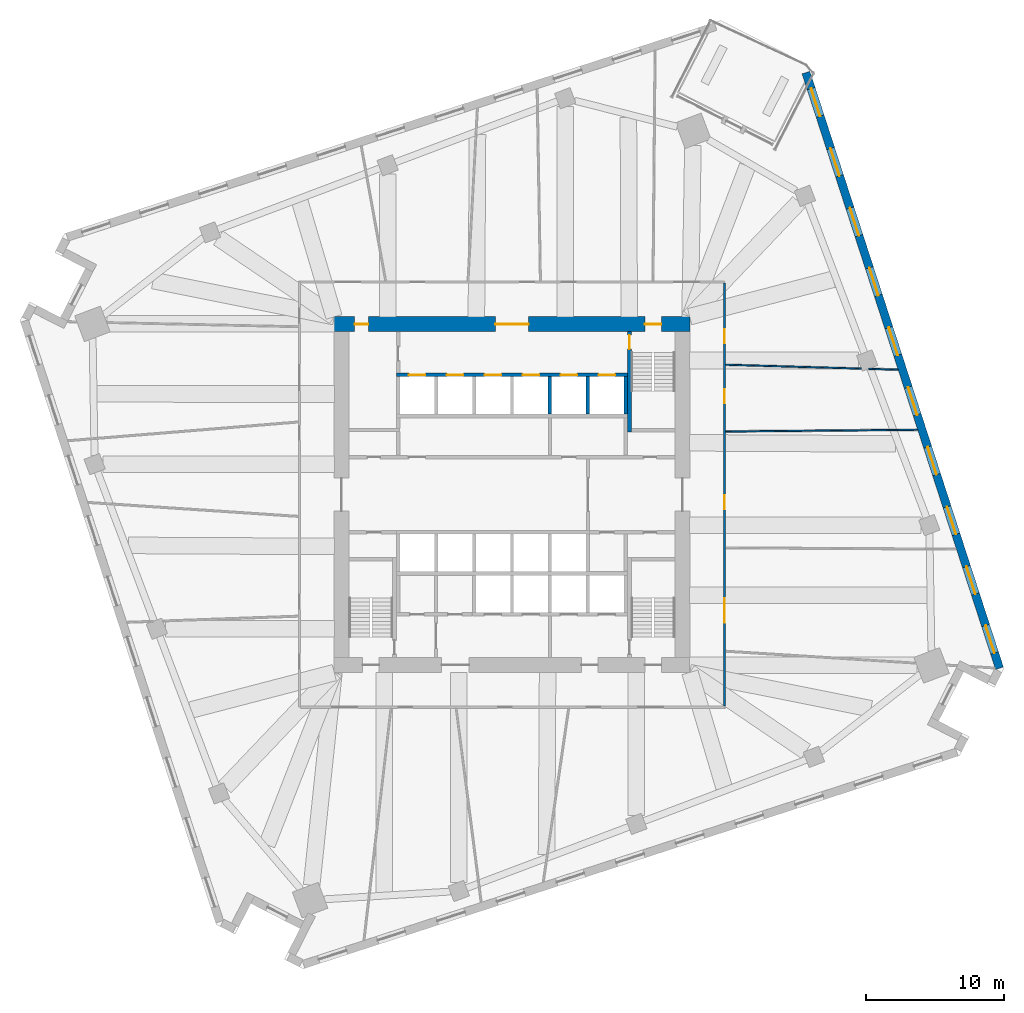
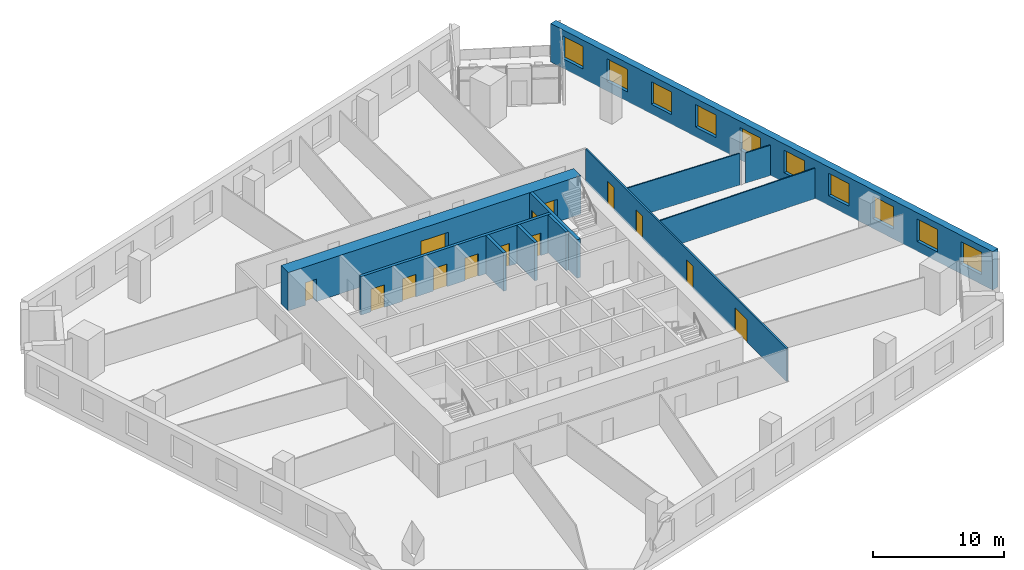
# One storey, part 9 of 12: 14 doors, 11 walls, 10 windows, 24 openings.
"""IFC4 building model written with IfcOpenShell, lengths in metres."""

import ifcopenshell
import ifcopenshell.guid

model = None  # the IFC model being written
_history = None  # IfcOwnerHistory: only IFC2X3 demands one
_inside = {}  # id of a spatial element -> (the spatial element, [elements in it])
_under = {}  # id of a project, library or spatial element -> (it, [spatial elements below it])
_declared = {}  # id of a project -> (the project, [libraries it declares])
_typed = {}  # id of a type object -> (the type object, [elements of that type])
_made_of = {}  # id of a material, layer set ... -> (it, [elements and type objects made of it])


def new_model(schema):
    """Start an empty IFC model of exactly this schema.

    Asked for "IFC4X3", IfcOpenShell would pick the latest addendum, in which some entities
    have other attributes; the version numbers below select the first issue.
    IFC2X3 requires an IfcOwnerHistory on every rooted entity: one is made here for all.
    """
    global model, _history
    if schema == "IFC4X3":
        model = ifcopenshell.file(schema_version=(4, 3, 0, 0))
    else:
        model = ifcopenshell.file(schema=schema)
    _inside.clear()
    _under.clear()
    _declared.clear()
    _typed.clear()
    _made_of.clear()
    _history = None
    if model.schema == "IFC2X3":
        org = make("IfcOrganization", Name="unknown")
        user = make(
            "IfcPersonAndOrganization",
            ThePerson=make("IfcPerson", FamilyName="unknown"),
            TheOrganization=org,
        )
        app = make(
            "IfcApplication",
            ApplicationDeveloper=org,
            Version="unknown",
            ApplicationFullName="unknown",
            ApplicationIdentifier="unknown",
        )
        _history = make(
            "IfcOwnerHistory",
            OwningUser=user,
            OwningApplication=app,
            ChangeAction="ADDED",
            CreationDate=0,
        )
    return model


def make(cls, **values):
    """One entity of the class cls with the attributes given. An attribute that is None is left unset."""
    return model.create_entity(
        cls, **{name: value for name, value in values.items() if value is not None}
    )


def rooted(cls, **values):
    """An entity with a GlobalId (a new one), such as an element, a storey or a relation."""
    return make(cls, GlobalId=ifcopenshell.guid.new(), OwnerHistory=_history, **values)


def si_unit(unit_type, name, prefix=None):
    """IfcSIUnit, for example si_unit("LENGTHUNIT", "METRE", prefix="MILLI")."""
    return make("IfcSIUnit", UnitType=unit_type, Prefix=prefix, Name=name)


def assignment(units):
    """IfcUnitAssignment: the units of a project."""
    return None if units is None else make("IfcUnitAssignment", Units=units)


def point(xyz):
    """IfcCartesianPoint."""
    return None if xyz is None else make("IfcCartesianPoint", Coordinates=xyz)


def direction(xyz):
    """IfcDirection."""
    return None if xyz is None else make("IfcDirection", DirectionRatios=xyz)


def frame(location, z_axis=None, x_axis=None):
    """IfcAxis2Placement3D, a coordinate frame: its origin and axes. An axis left out is left unset."""
    return make(
        "IfcAxis2Placement3D",
        Location=point(location),
        Axis=direction(z_axis),
        RefDirection=direction(x_axis),
    )


def frame_2d(location, x_axis=None):
    """IfcAxis2Placement2D, a coordinate frame in the plane: its origin and x axis."""
    return make(
        "IfcAxis2Placement2D", Location=point(location), RefDirection=direction(x_axis)
    )


def origin():
    """The frame at (0, 0, 0) with its axes left unset."""
    return frame((0.0, 0.0, 0.0))


def place(relative_to, where):
    """IfcLocalPlacement: puts the frame where relative to a parent placement (None: the world)."""
    return make(
        "IfcLocalPlacement", PlacementRelTo=relative_to, RelativePlacement=where
    )


def context(
    kind, dimensions, precision=None, world=None, true_north=None, identifier=None
):
    """IfcGeometricRepresentationContext, for example the 3D "Model" context."""
    return make(
        "IfcGeometricRepresentationContext",
        ContextIdentifier=identifier,
        ContextType=kind,
        CoordinateSpaceDimension=dimensions,
        Precision=precision,
        WorldCoordinateSystem=world,
        TrueNorth=true_north,
    )


def subcontext(parent, identifier, kind, view, scale=None):
    """IfcGeometricRepresentationSubContext, for example "Body" below "Model"."""
    return make(
        "IfcGeometricRepresentationSubContext",
        ContextIdentifier=identifier,
        ContextType=kind,
        ParentContext=parent,
        TargetScale=scale,
        TargetView=view,
    )


def project(units=None, contexts=None):
    """IfcProject with its units and contexts."""
    return rooted(
        "IfcProject",
        Name="project",
        RepresentationContexts=contexts,
        UnitsInContext=assignment(units),
    )


def spatial(cls, under=None, at=None, **own):
    """A site, building, storey or space (cls), placed at a placement, below another one or the project."""
    s = rooted(cls, ObjectPlacement=at, **own)
    if under is not None:
        _under.setdefault(under.id(), (under, []))[1].append(s)
    return s


def profile(cls, at=None, kind="AREA", **sizes):
    """A parametric profile (cls). Its sizes go by their IFC names, for example OverallWidth=200.0."""
    return make(cls, ProfileType=kind, Position=at, **sizes)


def rectangle(**sizes):
    """IfcRectangleProfileDef."""
    return profile("IfcRectangleProfileDef", **sizes)


def extrude(swept, where, along, depth):
    """IfcExtrudedAreaSolid: the profile swept, set in the frame where, extruded along a direction by depth."""
    return make(
        "IfcExtrudedAreaSolid",
        SweptArea=swept,
        Position=where,
        ExtrudedDirection=direction(along),
        Depth=depth,
    )


def shape(context_of_items, identifier, shape_type, items):
    """IfcShapeRepresentation: the items that make up one representation, for example the "Body"."""
    return make(
        "IfcShapeRepresentation",
        ContextOfItems=context_of_items,
        RepresentationIdentifier=identifier,
        RepresentationType=shape_type,
        Items=items,
    )


def material(Name=None, Category=None):
    """IfcMaterial."""
    return make("IfcMaterial", Name=Name, Category=Category)


def layer(
    of_material, thickness, ventilated=None, Name=None, Category=None, Priority=None
):
    """IfcMaterialLayer: one layer of a wall or slab, of a material (None: an air gap)."""
    return make(
        "IfcMaterialLayer",
        Material=of_material,
        LayerThickness=thickness,
        IsVentilated=ventilated,
        Name=Name,
        Category=Category,
        Priority=Priority,
    )


def layer_set(layers, Name=None):
    """IfcMaterialLayerSet."""
    return make("IfcMaterialLayerSet", MaterialLayers=layers, LayerSetName=Name)


def made_of(thing, what):
    """Note that an element or type object is made of a material, layer set ...; save() writes the relation."""
    if what is not None:
        _made_of.setdefault(what.id(), (what, []))[1].append(thing)
    return thing


def type_object(cls, material=None, **own):
    """A type object (cls), such as IfcWallType, which elements share."""
    return made_of(rooted(cls, **own), material)


def element(
    cls,
    number,
    at=None,
    inside=None,
    cuts=None,
    type_object=None,
    material=None,
    context=None,
    identifier="Body",
    shape_type=None,
    held_by="IfcProductDefinitionShape",
    body=None,
    shapes=None,
    **own,
):
    """One element of the class cls, such as IfcWall. Its Tag is "e" and its number.

    at: its placement. inside: the storey or other place that contains it. cuts: it is an
    opening in that element (IfcRelVoidsElement). A single representation is given by context,
    identifier, shape_type and body (its items); several are given by shapes. held_by: the class
    of the entity that holds the representations. save() writes the other relations.
    """
    e = rooted(cls, Tag="e%d" % number, ObjectPlacement=at, **own)
    if body is not None:
        shapes = [shape(context, identifier, shape_type, body)]
    if shapes is not None:
        e.Representation = make(held_by, Representations=shapes)
    if inside is not None:
        _inside.setdefault(inside.id(), (inside, []))[1].append(e)
    if cuts is not None:
        rooted(
            "IfcRelVoidsElement", RelatingBuildingElement=cuts, RelatedOpeningElement=e
        )
    if type_object is not None:
        _typed.setdefault(type_object.id(), (type_object, []))[1].append(e)
    return made_of(e, material)


def fill(opening, filler):
    """IfcRelFillsElement: the door or window that sits in an opening."""
    return rooted(
        "IfcRelFillsElement",
        RelatingOpeningElement=opening,
        RelatedBuildingElement=filler,
    )


def aggregate(whole, parts):
    """IfcRelAggregates: a whole, such as a stair, and the parts it consists of."""
    return rooted("IfcRelAggregates", RelatingObject=whole, RelatedObjects=parts)


def save(model, path):
    """Write the relations noted so far, then the file.

    IfcRelAggregates (storeys below a building ...), IfcRelContainedInSpatialStructure (elements
    in a storey), IfcRelDefinesByType, IfcRelAssociatesMaterial and IfcRelDeclares: one each for
    every whole, place, type object, material and project.
    """
    for whole, parts in _under.values():
        aggregate(whole, parts)
    for where, things in _inside.values():
        rooted(
            "IfcRelContainedInSpatialStructure",
            RelatedElements=things,
            RelatingStructure=where,
        )
    for kind, things in _typed.values():
        rooted("IfcRelDefinesByType", RelatedObjects=things, RelatingType=kind)
    for what, things in _made_of.values():
        rooted("IfcRelAssociatesMaterial", RelatedObjects=things, RelatingMaterial=what)
    for by, libraries in _declared.values():
        rooted("IfcRelDeclares", RelatingContext=by, RelatedDefinitions=libraries)
    model.write(path)


model = new_model("IFC4")

# Units and contexts
model_context = context("Model", 3, precision=1e-05, world=origin(), true_north=direction((0.0, 1.0)))
body_context = subcontext(model_context, "Body", "Model", "MODEL_VIEW")
ifc_project = project(units=[si_unit("LENGTHUNIT", "METRE"), si_unit("AREAUNIT", "SQUARE_METRE"), si_unit("VOLUMEUNIT", "CUBIC_METRE"), si_unit("PLANEANGLEUNIT", "RADIAN"), si_unit("MASSUNIT", "GRAM", prefix="KILO")], contexts=[model_context])

# Site, building, storey
site_placement = place(None, origin())
site = spatial("IfcSite", under=ifc_project, at=site_placement, CompositionType="ELEMENT")
building_placement = place(site_placement, origin())
building = spatial("IfcBuilding", under=site, at=building_placement, Name="Dilmun Exchange Tower", CompositionType="ELEMENT")
storey_placement = place(building_placement, frame((0.0, 0.0, 98.10009765625)))
storey = spatial("IfcBuildingStorey", under=building, at=storey_placement, Name="L22", CompositionType="ELEMENT", Elevation=98.10009765625)

# Wall, openings, doors
ifc_material_1 = material(Name="Concrete C80/95", Category="concrete")
ifc_layer_1 = layer(ifc_material_1, 1.10009765625)
ifc_layer_set_1 = layer_set([ifc_layer_1], Name="Concrete C80/95")
wall_type_1 = type_object("IfcWallType", Name="Core shear wall 1100 Concrete C80/95", PredefinedType="SHEAR", material=ifc_layer_set_1)
wall_1_placement = place(storey_placement, frame((-12.89990234375, 12.35009765625, 0.0), z_axis=(0.0, 0.0, 1.0), x_axis=(1.0, 0.0, 0.0)))
wall_1 = element("IfcWall", 1, at=wall_1_placement, inside=storey, type_object=wall_type_1, Name="L22 core shear wall N", PredefinedType="SHEAR", context=body_context, shape_type="SweptSolid", body=[
    extrude(rectangle(XDim=25.7998046875, YDim=1.10009765625, at=frame_2d((12.89990234375, 0.0))), origin(), (0.0, 0.0, 1.0), 3.579833984375),
])
opening_1_placement = place(wall_1_placement, frame((11.699951171875, 0.0, 0.0)))
opening_1 = element("IfcOpeningElement", 2, at=opening_1_placement, cuts=wall_1, Name="Opening CD1", PredefinedType="OPENING", context=body_context, shape_type="SweptSolid", body=[
    extrude(rectangle(XDim=2.39990234375, YDim=2.39990234375, at=frame_2d((1.199951171875, 1.199951171875))), frame((0.0, 0.56005859375, 0.0), z_axis=(0.0, -1.0, 0.0), x_axis=(1.0, 0.0, 0.0)), (0.0, 0.0, 1.0), 1.1201171875),
])
opening_2_placement = place(wall_1_placement, frame((22.52490234375, 0.0, 0.0)))
opening_2 = element("IfcOpeningElement", 3, at=opening_2_placement, cuts=wall_1, Name="Opening CD3", PredefinedType="OPENING", context=body_context, shape_type="SweptSolid", body=[
    extrude(rectangle(XDim=1.199951171875, YDim=2.10009765625, at=frame_2d((0.60009765625, 1.050048828125))), frame((0.0, 0.56005859375, 0.0), z_axis=(0.0, -1.0, 0.0), x_axis=(1.0, 0.0, 0.0)), (0.0, 0.0, 1.0), 1.1201171875),
])
opening_3_placement = place(wall_1_placement, frame((1.5, 0.0, 0.0)))
opening_3 = element("IfcOpeningElement", 4, at=opening_3_placement, cuts=wall_1, Name="Opening CD4", PredefinedType="OPENING", context=body_context, shape_type="SweptSolid", body=[
    extrude(rectangle(XDim=1.0, YDim=2.10009765625, at=frame_2d((0.5, 1.050048828125))), frame((0.0, 0.56005859375, 0.0), z_axis=(0.0, -1.0, 0.0), x_axis=(1.0, 0.0, 0.0)), (0.0, 0.0, 1.0), 1.1201171875),
])
ifc_material_2 = material(Name="Fire-rated steel door set", Category="steel")
door_type_1 = type_object("IfcDoorType", Name="Core lobby door 2400x2400", OperationType="DOUBLE_DOOR_DOUBLE_SWING", PredefinedType="DOOR", material=ifc_material_2)
door_1_placement = place(opening_1_placement, origin())
door_1 = element("IfcDoor", 5, at=door_1_placement, inside=storey, type_object=door_type_1, Name="L22 door North lift lobby", OperationType="SINGLE_SWING_LEFT", OverallHeight=2.39990234375, OverallWidth=2.39990234375, PredefinedType="DOOR", context=body_context, shape_type="SweptSolid", body=[
    extrude(rectangle(XDim=2.39990234375, YDim=2.39990234375, at=frame_2d((1.199951171875, 1.199951171875))), frame((0.0, 0.02490234375, 0.0), z_axis=(0.0, -1.0, 0.0), x_axis=(1.0, 0.0, 0.0)), (0.0, 0.0, 1.0), 0.050048828125),
])
fill(opening_1, door_1)
door_type_2 = type_object("IfcDoorType", Name="Core room door 1000x2100", OperationType="SINGLE_SWING_LEFT", PredefinedType="DOOR", material=ifc_material_2)
door_2_placement = place(opening_3_placement, origin())
door_2 = element("IfcDoor", 6, at=door_2_placement, inside=storey, type_object=door_type_2, Name="L22 door North-west core rooms", OperationType="SINGLE_SWING_LEFT", OverallHeight=2.10009765625, OverallWidth=1.0, PredefinedType="DOOR", context=body_context, shape_type="SweptSolid", body=[
    extrude(rectangle(XDim=1.0, YDim=2.10009765625, at=frame_2d((0.5, 1.050048828125))), frame((0.0, 0.02490234375, 0.0), z_axis=(0.0, -1.0, 0.0), x_axis=(1.0, 0.0, 0.0)), (0.0, 0.0, 1.0), 0.050048828125),
])
fill(opening_3, door_2)
door_type_3 = type_object("IfcDoorType", Name="Stair exit door 1200x2100", OperationType="SINGLE_SWING_LEFT", PredefinedType="DOOR", material=ifc_material_2)
door_3_placement = place(opening_2_placement, origin())
door_3 = element("IfcDoor", 7, at=door_3_placement, inside=storey, type_object=door_type_3, Name="L22 door Stair ST1", OperationType="SINGLE_SWING_LEFT", OverallHeight=2.10009765625, OverallWidth=1.199951171875, PredefinedType="DOOR", context=body_context, shape_type="SweptSolid", body=[
    extrude(rectangle(XDim=1.199951171875, YDim=2.10009765625, at=frame_2d((0.60009765625, 1.050048828125))), frame((0.0, 0.02490234375, 0.0), z_axis=(0.0, -1.0, 0.0), x_axis=(1.0, 0.0, 0.0)), (0.0, 0.0, 1.0), 0.050048828125),
])
fill(opening_2, door_3)

ifc_material_3 = material(Name="Corridor wall 150")
ifc_layer_2 = layer(ifc_material_3, 0.14990234375)
ifc_layer_set_2 = layer_set([ifc_layer_2], Name="Corridor wall 150")
wall_type_2 = type_object("IfcWallType", Name="Corridor wall 150", PredefinedType="PARTITIONING", material=ifc_layer_set_2)
wall_2_placement = place(storey_placement, frame((15.39990234375, -15.324951171875, 0.0), z_axis=(0.0, 0.0, 1.0), x_axis=(0.0, 1.0, 0.0)))
wall_2 = element("IfcWall", 8, at=wall_2_placement, inside=storey, type_object=wall_type_2, Name="Corridor wall", PredefinedType="PARTITIONING", context=body_context, shape_type="SweptSolid", body=[
    extrude(rectangle(XDim=30.64990234375, YDim=0.14990234375, at=frame_2d((15.324951171875, 0.0))), origin(), (0.0, 0.0, 1.0), 3.079833984375),
])
opening_4_placement = place(wall_2_placement, frame((26.288330078125, 0.0, 0.0)))
opening_4 = element("IfcOpeningElement", 9, at=opening_4_placement, cuts=wall_2, Name="Opening TF20-D16", PredefinedType="OPENING", context=body_context, shape_type="SweptSolid", body=[
    extrude(rectangle(XDim=1.0, YDim=2.10009765625, at=frame_2d((0.5, 1.050048828125))), frame((0.0, 0.0849609375, 0.0), z_axis=(0.0, -1.0, 0.0), x_axis=(1.0, 0.0, 0.0)), (0.0, 0.0, 1.0), 0.169921875),
])
opening_5_placement = place(wall_2_placement, frame((21.94921875, 0.0, 0.0)))
opening_5 = element("IfcOpeningElement", 10, at=opening_5_placement, cuts=wall_2, Name="Opening TF20-D17", PredefinedType="OPENING", context=body_context, shape_type="SweptSolid", body=[
    extrude(rectangle(XDim=1.0, YDim=2.10009765625, at=frame_2d((0.5, 1.050048828125))), frame((0.0, 0.0849609375, 0.0), z_axis=(0.0, -1.0, 0.0), x_axis=(1.0, 0.0, 0.0)), (0.0, 0.0, 1.0), 0.169921875),
])
opening_6_placement = place(wall_2_placement, frame((14.269775390625, 0.0, 0.0)))
opening_6 = element("IfcOpeningElement", 11, at=opening_6_placement, cuts=wall_2, Name="Opening TF20-D18", PredefinedType="OPENING", context=body_context, shape_type="SweptSolid", body=[
    extrude(rectangle(XDim=1.0, YDim=2.10009765625, at=frame_2d((0.5, 1.050048828125))), frame((0.0, 0.0849609375, 0.0), z_axis=(0.0, -1.0, 0.0), x_axis=(1.0, 0.0, 0.0)), (0.0, 0.0, 1.0), 0.169921875),
])
opening_7_placement = place(wall_2_placement, frame((6.03759765625, 0.0, 0.0)))
opening_7 = element("IfcOpeningElement", 12, at=opening_7_placement, cuts=wall_2, Name="Opening TF20-D19", PredefinedType="OPENING", context=body_context, shape_type="SweptSolid", body=[
    extrude(rectangle(XDim=1.800048828125, YDim=2.10009765625, at=frame_2d((0.89990234375, 1.050048828125))), frame((0.0, 0.0849609375, 0.0), z_axis=(0.0, -1.0, 0.0), x_axis=(1.0, 0.0, 0.0)), (0.0, 0.0, 1.0), 0.169921875),
])
ifc_material_4 = material(Name="Fire door 1000 x 2100")
door_type_4 = type_object("IfcDoorType", Name="Fire door 1000 x 2100", OperationType="NOTDEFINED", PredefinedType="DOOR", material=ifc_material_4)
door_4_placement = place(opening_4_placement, frame((1.0, 0.0, 0.0), z_axis=(0.0, 0.0, 1.0), x_axis=(-1.0, 0.0, 0.0)))
door_4 = element("IfcDoor", 13, at=door_4_placement, inside=storey, type_object=door_type_4, Name="Door TF20-D16", OperationType="SINGLE_SWING_RIGHT", OverallHeight=2.10009765625, OverallWidth=1.0, PredefinedType="DOOR", context=body_context, shape_type="SweptSolid", body=[
    extrude(rectangle(XDim=1.0, YDim=2.10009765625, at=frame_2d((0.5, 1.050048828125))), frame((0.0, 0.02490234375, 0.0), z_axis=(0.0, -1.0, 0.0), x_axis=(1.0, 0.0, 0.0)), (0.0, 0.0, 1.0), 0.050048828125),
])
fill(opening_4, door_4)
door_5_placement = place(opening_5_placement, frame((1.0, 0.0, 0.0), z_axis=(0.0, 0.0, 1.0), x_axis=(-1.0, 0.0, 0.0)))
door_5 = element("IfcDoor", 14, at=door_5_placement, inside=storey, type_object=door_type_4, Name="Door TF20-D17", OperationType="SINGLE_SWING_RIGHT", OverallHeight=2.10009765625, OverallWidth=1.0, PredefinedType="DOOR", context=body_context, shape_type="SweptSolid", body=[
    extrude(rectangle(XDim=1.0, YDim=2.10009765625, at=frame_2d((0.5, 1.050048828125))), frame((0.0, 0.02490234375, 0.0), z_axis=(0.0, -1.0, 0.0), x_axis=(1.0, 0.0, 0.0)), (0.0, 0.0, 1.0), 0.050048828125),
])
fill(opening_5, door_5)
door_6_placement = place(opening_6_placement, frame((1.0, 0.0, 0.0), z_axis=(0.0, 0.0, 1.0), x_axis=(-1.0, 0.0, 0.0)))
door_6 = element("IfcDoor", 15, at=door_6_placement, inside=storey, type_object=door_type_4, Name="Door TF20-D18", OperationType="SINGLE_SWING_RIGHT", OverallHeight=2.10009765625, OverallWidth=1.0, PredefinedType="DOOR", context=body_context, shape_type="SweptSolid", body=[
    extrude(rectangle(XDim=1.0, YDim=2.10009765625, at=frame_2d((0.5, 1.050048828125))), frame((0.0, 0.02490234375, 0.0), z_axis=(0.0, -1.0, 0.0), x_axis=(1.0, 0.0, 0.0)), (0.0, 0.0, 1.0), 0.050048828125),
])
fill(opening_6, door_6)
ifc_material_5 = material(Name="Fire door pair 1800 x 2100")
door_type_5 = type_object("IfcDoorType", Name="Fire door pair 1800 x 2100", OperationType="NOTDEFINED", PredefinedType="DOOR", material=ifc_material_5)
door_7_placement = place(opening_7_placement, frame((1.800048828125, 0.0, 0.0), z_axis=(0.0, 0.0, 1.0), x_axis=(-1.0, 0.0, 0.0)))
door_7 = element("IfcDoor", 16, at=door_7_placement, inside=storey, type_object=door_type_5, Name="Door TF20-D19", OperationType="DOUBLE_DOOR_SINGLE_SWING", OverallHeight=2.10009765625, OverallWidth=1.800048828125, PredefinedType="DOOR", context=body_context, shape_type="SweptSolid", body=[
    extrude(rectangle(XDim=1.800048828125, YDim=2.10009765625, at=frame_2d((0.89990234375, 1.050048828125))), frame((0.0, 0.02490234375, 0.0), z_axis=(0.0, -1.0, 0.0), x_axis=(1.0, 0.0, 0.0)), (0.0, 0.0, 1.0), 0.050048828125),
])
fill(opening_7, door_7)

ifc_material_6 = material(Name="Concrete C40/50", Category="concrete")
ifc_layer_3 = layer(ifc_material_6, 0.25)
ifc_layer_set_3 = layer_set([ifc_layer_3], Name="Concrete C40/50")
wall_type_3 = type_object("IfcWallType", Name="Lift shaft wall 250", PredefinedType="SOLIDWALL", material=ifc_layer_set_3)
wall_3_placement = place(storey_placement, frame((-8.375, 8.675048828125, 0.0), z_axis=(0.0, 0.0, 1.0), x_axis=(1.0, 0.0, 0.0)))
wall_3 = element("IfcWall", 17, at=wall_3_placement, inside=storey, type_object=wall_type_3, Name="L22 lift shaft front wall N2", PredefinedType="SOLIDWALL", context=body_context, shape_type="SweptSolid", body=[
    extrude(rectangle(XDim=16.75, YDim=0.25, at=frame_2d((8.375, 0.0))), origin(), (0.0, 0.0, 1.0), 3.579833984375),
])
opening_8_placement = place(wall_3_placement, frame((0.89990234375, 0.0, 0.0)))
opening_8 = element("IfcOpeningElement", 18, at=opening_8_placement, cuts=wall_3, Name="Opening LD", PredefinedType="OPENING", context=body_context, shape_type="SweptSolid", body=[
    extrude(rectangle(XDim=1.199951171875, YDim=2.10009765625, at=frame_2d((0.60009765625, 1.050048828125))), frame((0.0, 0.135009765625, 0.0), z_axis=(0.0, -1.0, 0.0), x_axis=(1.0, 0.0, 0.0)), (0.0, 0.0, 1.0), 0.27001953125),
])
opening_9_placement = place(wall_3_placement, frame((3.64990234375, 0.0, 0.0)))
opening_9 = element("IfcOpeningElement", 19, at=opening_9_placement, cuts=wall_3, Name="Opening LD", PredefinedType="OPENING", context=body_context, shape_type="SweptSolid", body=[
    extrude(rectangle(XDim=1.199951171875, YDim=2.10009765625, at=frame_2d((0.60009765625, 1.050048828125))), frame((0.0, 0.135009765625, 0.0), z_axis=(0.0, -1.0, 0.0), x_axis=(1.0, 0.0, 0.0)), (0.0, 0.0, 1.0), 0.27001953125),
])
opening_10_placement = place(wall_3_placement, frame((6.39990234375, 0.0, 0.0)))
opening_10 = element("IfcOpeningElement", 20, at=opening_10_placement, cuts=wall_3, Name="Opening LD", PredefinedType="OPENING", context=body_context, shape_type="SweptSolid", body=[
    extrude(rectangle(XDim=1.199951171875, YDim=2.10009765625, at=frame_2d((0.60009765625, 1.050048828125))), frame((0.0, 0.135009765625, 0.0), z_axis=(0.0, -1.0, 0.0), x_axis=(1.0, 0.0, 0.0)), (0.0, 0.0, 1.0), 0.27001953125),
])
opening_11_placement = place(wall_3_placement, frame((9.14990234375, 0.0, 0.0)))
opening_11 = element("IfcOpeningElement", 21, at=opening_11_placement, cuts=wall_3, Name="Opening LD", PredefinedType="OPENING", context=body_context, shape_type="SweptSolid", body=[
    extrude(rectangle(XDim=1.199951171875, YDim=2.10009765625, at=frame_2d((0.60009765625, 1.050048828125))), frame((0.0, 0.135009765625, 0.0), z_axis=(0.0, -1.0, 0.0), x_axis=(1.0, 0.0, 0.0)), (0.0, 0.0, 1.0), 0.27001953125),
])
opening_12_placement = place(wall_3_placement, frame((11.89990234375, 0.0, 0.0)))
opening_12 = element("IfcOpeningElement", 22, at=opening_12_placement, cuts=wall_3, Name="Opening LD", PredefinedType="OPENING", context=body_context, shape_type="SweptSolid", body=[
    extrude(rectangle(XDim=1.199951171875, YDim=2.10009765625, at=frame_2d((0.60009765625, 1.050048828125))), frame((0.0, 0.135009765625, 0.0), z_axis=(0.0, -1.0, 0.0), x_axis=(1.0, 0.0, 0.0)), (0.0, 0.0, 1.0), 0.27001953125),
])
opening_13_placement = place(wall_3_placement, frame((14.64990234375, 0.0, 0.0)))
opening_13 = element("IfcOpeningElement", 23, at=opening_13_placement, cuts=wall_3, Name="Opening LD", PredefinedType="OPENING", context=body_context, shape_type="SweptSolid", body=[
    extrude(rectangle(XDim=1.199951171875, YDim=2.10009765625, at=frame_2d((0.60009765625, 1.050048828125))), frame((0.0, 0.135009765625, 0.0), z_axis=(0.0, -1.0, 0.0), x_axis=(1.0, 0.0, 0.0)), (0.0, 0.0, 1.0), 0.27001953125),
])
door_type_6 = type_object("IfcDoorType", Name="Lift landing door 1200x2100", OperationType="DOUBLE_DOOR_SLIDING", PredefinedType="DOOR", material=ifc_material_2)
door_8_placement = place(opening_8_placement, origin())
door_8 = element("IfcDoor", 24, at=door_8_placement, inside=storey, type_object=door_type_6, Name="L22 landing door LR1", OperationType="DOUBLE_DOOR_SLIDING", OverallHeight=2.10009765625, OverallWidth=1.199951171875, PredefinedType="DOOR", context=body_context, shape_type="SweptSolid", body=[
    extrude(rectangle(XDim=1.199951171875, YDim=2.10009765625, at=frame_2d((0.60009765625, 1.050048828125))), frame((0.0, 0.02490234375, 0.0), z_axis=(0.0, -1.0, 0.0), x_axis=(1.0, 0.0, 0.0)), (0.0, 0.0, 1.0), 0.050048828125),
])
fill(opening_8, door_8)
door_9_placement = place(opening_9_placement, origin())
door_9 = element("IfcDoor", 25, at=door_9_placement, inside=storey, type_object=door_type_6, Name="L22 landing door LR2", OperationType="DOUBLE_DOOR_SLIDING", OverallHeight=2.10009765625, OverallWidth=1.199951171875, PredefinedType="DOOR", context=body_context, shape_type="SweptSolid", body=[
    extrude(rectangle(XDim=1.199951171875, YDim=2.10009765625, at=frame_2d((0.60009765625, 1.050048828125))), frame((0.0, 0.02490234375, 0.0), z_axis=(0.0, -1.0, 0.0), x_axis=(1.0, 0.0, 0.0)), (0.0, 0.0, 1.0), 0.050048828125),
])
fill(opening_9, door_9)
door_10_placement = place(opening_10_placement, origin())
door_10 = element("IfcDoor", 26, at=door_10_placement, inside=storey, type_object=door_type_6, Name="L22 landing door LR3", OperationType="DOUBLE_DOOR_SLIDING", OverallHeight=2.10009765625, OverallWidth=1.199951171875, PredefinedType="DOOR", context=body_context, shape_type="SweptSolid", body=[
    extrude(rectangle(XDim=1.199951171875, YDim=2.10009765625, at=frame_2d((0.60009765625, 1.050048828125))), frame((0.0, 0.02490234375, 0.0), z_axis=(0.0, -1.0, 0.0), x_axis=(1.0, 0.0, 0.0)), (0.0, 0.0, 1.0), 0.050048828125),
])
fill(opening_10, door_10)
door_11_placement = place(opening_11_placement, origin())
door_11 = element("IfcDoor", 27, at=door_11_placement, inside=storey, type_object=door_type_6, Name="L22 landing door LR4", OperationType="DOUBLE_DOOR_SLIDING", OverallHeight=2.10009765625, OverallWidth=1.199951171875, PredefinedType="DOOR", context=body_context, shape_type="SweptSolid", body=[
    extrude(rectangle(XDim=1.199951171875, YDim=2.10009765625, at=frame_2d((0.60009765625, 1.050048828125))), frame((0.0, 0.02490234375, 0.0), z_axis=(0.0, -1.0, 0.0), x_axis=(1.0, 0.0, 0.0)), (0.0, 0.0, 1.0), 0.050048828125),
])
fill(opening_11, door_11)
door_12_placement = place(opening_12_placement, origin())
door_12 = element("IfcDoor", 28, at=door_12_placement, inside=storey, type_object=door_type_6, Name="L22 landing door LR5", OperationType="DOUBLE_DOOR_SLIDING", OverallHeight=2.10009765625, OverallWidth=1.199951171875, PredefinedType="DOOR", context=body_context, shape_type="SweptSolid", body=[
    extrude(rectangle(XDim=1.199951171875, YDim=2.10009765625, at=frame_2d((0.60009765625, 1.050048828125))), frame((0.0, 0.02490234375, 0.0), z_axis=(0.0, -1.0, 0.0), x_axis=(1.0, 0.0, 0.0)), (0.0, 0.0, 1.0), 0.050048828125),
])
fill(opening_12, door_12)
door_13_placement = place(opening_13_placement, origin())
door_13 = element("IfcDoor", 29, at=door_13_placement, inside=storey, type_object=door_type_6, Name="L22 landing door LR6", OperationType="DOUBLE_DOOR_SLIDING", OverallHeight=2.10009765625, OverallWidth=1.199951171875, PredefinedType="DOOR", context=body_context, shape_type="SweptSolid", body=[
    extrude(rectangle(XDim=1.199951171875, YDim=2.10009765625, at=frame_2d((0.60009765625, 1.050048828125))), frame((0.0, 0.02490234375, 0.0), z_axis=(0.0, -1.0, 0.0), x_axis=(1.0, 0.0, 0.0)), (0.0, 0.0, 1.0), 0.050048828125),
])
fill(opening_13, door_13)

# Walls
for number, where, z_axis, x_axis, name in (
    (30, (2.75, 5.85009765625, 0.0), (0.0, 0.0, 1.0), (0.0, 1.0, 0.0), "L22 lift shaft divider N24"),
    (31, (5.5, 5.85009765625, 0.0), (0.0, 0.0, 1.0), (0.0, 1.0, 0.0), "L22 lift shaft divider N25"),
    (32, (8.25, 5.85009765625, 0.0), (0.0, 0.0, 1.0), (0.0, 1.0, 0.0), "L22 lift shaft divider N26"),
):
    element("IfcWall", number, at=place(storey_placement, frame(where, z_axis=z_axis, x_axis=x_axis)), inside=storey, type_object=wall_type_3, Name=name, PredefinedType="SOLIDWALL", context=body_context, shape_type="SweptSolid", body=[
        extrude(rectangle(XDim=2.699951171875, YDim=0.25, at=frame_2d((1.35009765625, 0.0))), origin(), (0.0, 0.0, 1.0), 3.579833984375),
    ])
ifc_material_7 = material(Name="Partition 100")
ifc_layer_4 = layer(ifc_material_7, 0.10009765625)
ifc_layer_set_4 = layer_set([ifc_layer_4], Name="Partition 100")
wall_type_4 = type_object("IfcWallType", Name="Partition 100", PredefinedType="PARTITIONING", material=ifc_layer_set_4)
wall_4_placement = place(storey_placement, frame((15.475341796875, 4.57470703125, 0.0), z_axis=(0.0, 0.0, 1.0), x_axis=(0.99995993254, 0.008951721355, 0.0)))
element("IfcWall", 33, at=wall_4_placement, inside=storey, type_object=wall_type_4, Name="Partition", PredefinedType="PARTITIONING", context=body_context, shape_type="SweptSolid", body=[
    extrude(rectangle(XDim=13.9091796875, YDim=0.10009765625, at=frame_2d((6.95458984375, 0.0))), origin(), (0.0, 0.0, 1.0), 2.829833984375),
])
wall_5_placement = place(storey_placement, frame((15.476318359375, 9.411865234375, 0.0), z_axis=(0.0, 0.0, 1.0), x_axis=(0.999583865111, -0.028846084817, 0.0)))
element("IfcWall", 34, at=wall_5_placement, inside=storey, type_object=wall_type_4, Name="Partition", PredefinedType="PARTITIONING", context=body_context, shape_type="SweptSolid", body=[
    extrude(rectangle(XDim=9.834716796875, YDim=0.10009765625, at=frame_2d((4.91748046875, 0.0))), origin(), (0.0, 0.0, 1.0), 2.9599609375),
])
wall_6_placement = place(storey_placement, frame((25.82568359375, 9.11328125, 0.0), z_axis=(0.0, 0.0, 1.0), x_axis=(0.999585375356, -0.028793703742, 0.0)))
element("IfcWall", 35, at=wall_6_placement, inside=storey, type_object=wall_type_4, Name="Partition", PredefinedType="PARTITIONING", context=body_context, shape_type="SweptSolid", body=[
    extrude(rectangle(XDim=2.145263671875, YDim=0.10009765625, at=frame_2d((1.07275390625, 0.0))), origin(), (0.0, 0.0, 1.0), 2.829833984375),
])

# Wall, openings, windows
ifc_material_8 = material(Name="Precast concrete C50/60", Category="concrete")
ifc_layer_5 = layer(ifc_material_8, 0.60009765625)
ifc_layer_set_5 = layer_set([ifc_layer_5], Name="Precast concrete C50/60")
wall_type_5 = type_object("IfcWallType", Name="Precast stone-clad wall 600", PredefinedType="STANDARD", material=ifc_layer_set_5)
wall_7_placement = place(storey_placement, frame((35.3154296875, -12.578369140625, 0.0), z_axis=(0.0, 0.0, 1.0), x_axis=(-0.30901806374, 0.951056168837, 0.0)))
wall_7 = element("IfcWall", 36, at=wall_7_placement, inside=storey, type_object=wall_type_5, Name="Facade wall L22-21", PredefinedType="STANDARD", context=body_context, shape_type="SweptSolid", body=[
    extrude(rectangle(XDim=45.3759765625, YDim=0.60009765625, at=frame_2d((22.68798828125, 0.0))), origin(), (0.0, 0.0, 1.0), 3.579833984375),
])
opening_14_placement = place(wall_7_placement, frame((1.162841796875, 0.0, 0.89990234375)))
opening_14 = element("IfcOpeningElement", 37, at=opening_14_placement, cuts=wall_7, Name="Opening W210-210", PredefinedType="OPENING", context=body_context, shape_type="SweptSolid", body=[
    extrude(rectangle(XDim=2.10009765625, YDim=2.10009765625, at=frame_2d((1.050048828125, 1.050048828125))), frame((0.0, 0.31005859375, 0.0), z_axis=(0.0, -1.0, 0.0), x_axis=(1.0, 0.0, 0.0)), (0.0, 0.0, 1.0), 0.6201171875),
])
opening_15_placement = place(wall_7_placement, frame((5.650634765625, 0.0, 0.89990234375)))
opening_15 = element("IfcOpeningElement", 38, at=opening_15_placement, cuts=wall_7, Name="Opening W210-210", PredefinedType="OPENING", context=body_context, shape_type="SweptSolid", body=[
    extrude(rectangle(XDim=2.10009765625, YDim=2.10009765625, at=frame_2d((1.050048828125, 1.050048828125))), frame((0.0, 0.31005859375, 0.0), z_axis=(0.0, -1.0, 0.0), x_axis=(1.0, 0.0, 0.0)), (0.0, 0.0, 1.0), 0.6201171875),
])
opening_16_placement = place(wall_7_placement, frame((10.20068359375, 0.0, 0.89990234375)))
opening_16 = element("IfcOpeningElement", 39, at=opening_16_placement, cuts=wall_7, Name="Opening W210-210", PredefinedType="OPENING", context=body_context, shape_type="SweptSolid", body=[
    extrude(rectangle(XDim=2.10009765625, YDim=2.10009765625, at=frame_2d((1.050048828125, 1.050048828125))), frame((0.0, 0.31005859375, 0.0), z_axis=(0.0, -1.0, 0.0), x_axis=(1.0, 0.0, 0.0)), (0.0, 0.0, 1.0), 0.6201171875),
])
opening_17_placement = place(wall_7_placement, frame((14.750732421875, 0.0, 0.89990234375)))
opening_17 = element("IfcOpeningElement", 40, at=opening_17_placement, cuts=wall_7, Name="Opening W210-210", PredefinedType="OPENING", context=body_context, shape_type="SweptSolid", body=[
    extrude(rectangle(XDim=2.10009765625, YDim=2.10009765625, at=frame_2d((1.050048828125, 1.050048828125))), frame((0.0, 0.31005859375, 0.0), z_axis=(0.0, -1.0, 0.0), x_axis=(1.0, 0.0, 0.0)), (0.0, 0.0, 1.0), 0.6201171875),
])
opening_18_placement = place(wall_7_placement, frame((19.30078125, 0.0, 0.89990234375)))
opening_18 = element("IfcOpeningElement", 41, at=opening_18_placement, cuts=wall_7, Name="Opening W210-210", PredefinedType="OPENING", context=body_context, shape_type="SweptSolid", body=[
    extrude(rectangle(XDim=2.10009765625, YDim=2.10009765625, at=frame_2d((1.050048828125, 1.050048828125))), frame((0.0, 0.31005859375, 0.0), z_axis=(0.0, -1.0, 0.0), x_axis=(1.0, 0.0, 0.0)), (0.0, 0.0, 1.0), 0.6201171875),
])
opening_19_placement = place(wall_7_placement, frame((23.8505859375, 0.0, 0.89990234375)))
opening_19 = element("IfcOpeningElement", 42, at=opening_19_placement, cuts=wall_7, Name="Opening W210-210", PredefinedType="OPENING", context=body_context, shape_type="SweptSolid", body=[
    extrude(rectangle(XDim=2.10009765625, YDim=2.10009765625, at=frame_2d((1.050048828125, 1.050048828125))), frame((0.0, 0.31005859375, 0.0), z_axis=(0.0, -1.0, 0.0), x_axis=(1.0, 0.0, 0.0)), (0.0, 0.0, 1.0), 0.6201171875),
])
opening_20_placement = place(wall_7_placement, frame((28.400634765625, 0.0, 0.89990234375)))
opening_20 = element("IfcOpeningElement", 43, at=opening_20_placement, cuts=wall_7, Name="Opening W210-210", PredefinedType="OPENING", context=body_context, shape_type="SweptSolid", body=[
    extrude(rectangle(XDim=2.10009765625, YDim=2.10009765625, at=frame_2d((1.050048828125, 1.050048828125))), frame((0.0, 0.31005859375, 0.0), z_axis=(0.0, -1.0, 0.0), x_axis=(1.0, 0.0, 0.0)), (0.0, 0.0, 1.0), 0.6201171875),
])
opening_21_placement = place(wall_7_placement, frame((32.95068359375, 0.0, 0.89990234375)))
opening_21 = element("IfcOpeningElement", 44, at=opening_21_placement, cuts=wall_7, Name="Opening W210-210", PredefinedType="OPENING", context=body_context, shape_type="SweptSolid", body=[
    extrude(rectangle(XDim=2.10009765625, YDim=2.10009765625, at=frame_2d((1.050048828125, 1.050048828125))), frame((0.0, 0.31005859375, 0.0), z_axis=(0.0, -1.0, 0.0), x_axis=(1.0, 0.0, 0.0)), (0.0, 0.0, 1.0), 0.6201171875),
])
opening_22_placement = place(wall_7_placement, frame((37.500732421875, 0.0, 0.89990234375)))
opening_22 = element("IfcOpeningElement", 45, at=opening_22_placement, cuts=wall_7, Name="Opening W210-210", PredefinedType="OPENING", context=body_context, shape_type="SweptSolid", body=[
    extrude(rectangle(XDim=2.10009765625, YDim=2.10009765625, at=frame_2d((1.050048828125, 1.050048828125))), frame((0.0, 0.31005859375, 0.0), z_axis=(0.0, -1.0, 0.0), x_axis=(1.0, 0.0, 0.0)), (0.0, 0.0, 1.0), 0.6201171875),
])
opening_23_placement = place(wall_7_placement, frame((42.05078125, 0.0, 0.89990234375)))
opening_23 = element("IfcOpeningElement", 46, at=opening_23_placement, cuts=wall_7, Name="Opening W210-210", PredefinedType="OPENING", context=body_context, shape_type="SweptSolid", body=[
    extrude(rectangle(XDim=2.10009765625, YDim=2.10009765625, at=frame_2d((1.050048828125, 1.050048828125))), frame((0.0, 0.31005859375, 0.0), z_axis=(0.0, -1.0, 0.0), x_axis=(1.0, 0.0, 0.0)), (0.0, 0.0, 1.0), 0.6201171875),
])
ifc_material_9 = material(Name="Clear low-emissivity glass in aluminium frame", Category="aluminium")
window_type = type_object("IfcWindowType", Name="Punched window 2100 x 2100", PartitioningType="DOUBLE_PANEL_VERTICAL", PredefinedType="WINDOW", material=ifc_material_9)
window_1_placement = place(opening_14_placement, origin())
window_1 = element("IfcWindow", 47, at=window_1_placement, inside=storey, type_object=window_type, Name="Window 22.1", OverallHeight=2.10009765625, OverallWidth=2.10009765625, PartitioningType="SINGLE_PANEL", PredefinedType="WINDOW", context=body_context, shape_type="SweptSolid", body=[
    extrude(rectangle(XDim=2.10009765625, YDim=2.10009765625, at=frame_2d((1.050048828125, 1.050048828125))), frame((0.0, 0.030029296875, 0.0), z_axis=(0.0, -1.0, 0.0), x_axis=(1.0, 0.0, 0.0)), (0.0, 0.0, 1.0), 0.06005859375),
])
fill(opening_14, window_1)
window_2_placement = place(opening_15_placement, origin())
window_2 = element("IfcWindow", 48, at=window_2_placement, inside=storey, type_object=window_type, Name="Window 22.2", OverallHeight=2.10009765625, OverallWidth=2.10009765625, PartitioningType="SINGLE_PANEL", PredefinedType="WINDOW", context=body_context, shape_type="SweptSolid", body=[
    extrude(rectangle(XDim=2.10009765625, YDim=2.10009765625, at=frame_2d((1.050048828125, 1.050048828125))), frame((0.0, 0.030029296875, 0.0), z_axis=(0.0, -1.0, 0.0), x_axis=(1.0, 0.0, 0.0)), (0.0, 0.0, 1.0), 0.06005859375),
])
fill(opening_15, window_2)
window_3_placement = place(opening_16_placement, origin())
window_3 = element("IfcWindow", 49, at=window_3_placement, inside=storey, type_object=window_type, Name="Window 22.3", OverallHeight=2.10009765625, OverallWidth=2.10009765625, PartitioningType="SINGLE_PANEL", PredefinedType="WINDOW", context=body_context, shape_type="SweptSolid", body=[
    extrude(rectangle(XDim=2.10009765625, YDim=2.10009765625, at=frame_2d((1.050048828125, 1.050048828125))), frame((0.0, 0.030029296875, 0.0), z_axis=(0.0, -1.0, 0.0), x_axis=(1.0, 0.0, 0.0)), (0.0, 0.0, 1.0), 0.06005859375),
])
fill(opening_16, window_3)
window_4_placement = place(opening_17_placement, origin())
window_4 = element("IfcWindow", 50, at=window_4_placement, inside=storey, type_object=window_type, Name="Window 22.4", OverallHeight=2.10009765625, OverallWidth=2.10009765625, PartitioningType="SINGLE_PANEL", PredefinedType="WINDOW", context=body_context, shape_type="SweptSolid", body=[
    extrude(rectangle(XDim=2.10009765625, YDim=2.10009765625, at=frame_2d((1.050048828125, 1.050048828125))), frame((0.0, 0.030029296875, 0.0), z_axis=(0.0, -1.0, 0.0), x_axis=(1.0, 0.0, 0.0)), (0.0, 0.0, 1.0), 0.06005859375),
])
fill(opening_17, window_4)
window_5_placement = place(opening_18_placement, origin())
window_5 = element("IfcWindow", 51, at=window_5_placement, inside=storey, type_object=window_type, Name="Window 22.5", OverallHeight=2.10009765625, OverallWidth=2.10009765625, PartitioningType="SINGLE_PANEL", PredefinedType="WINDOW", context=body_context, shape_type="SweptSolid", body=[
    extrude(rectangle(XDim=2.10009765625, YDim=2.10009765625, at=frame_2d((1.050048828125, 1.050048828125))), frame((0.0, 0.030029296875, 0.0), z_axis=(0.0, -1.0, 0.0), x_axis=(1.0, 0.0, 0.0)), (0.0, 0.0, 1.0), 0.06005859375),
])
fill(opening_18, window_5)
window_6_placement = place(opening_19_placement, origin())
window_6 = element("IfcWindow", 52, at=window_6_placement, inside=storey, type_object=window_type, Name="Window 22.6", OverallHeight=2.10009765625, OverallWidth=2.10009765625, PartitioningType="SINGLE_PANEL", PredefinedType="WINDOW", context=body_context, shape_type="SweptSolid", body=[
    extrude(rectangle(XDim=2.10009765625, YDim=2.10009765625, at=frame_2d((1.050048828125, 1.050048828125))), frame((0.0, 0.030029296875, 0.0), z_axis=(0.0, -1.0, 0.0), x_axis=(1.0, 0.0, 0.0)), (0.0, 0.0, 1.0), 0.06005859375),
])
fill(opening_19, window_6)
window_7_placement = place(opening_20_placement, origin())
window_7 = element("IfcWindow", 53, at=window_7_placement, inside=storey, type_object=window_type, Name="Window 22.7", OverallHeight=2.10009765625, OverallWidth=2.10009765625, PartitioningType="SINGLE_PANEL", PredefinedType="WINDOW", context=body_context, shape_type="SweptSolid", body=[
    extrude(rectangle(XDim=2.10009765625, YDim=2.10009765625, at=frame_2d((1.050048828125, 1.050048828125))), frame((0.0, 0.030029296875, 0.0), z_axis=(0.0, -1.0, 0.0), x_axis=(1.0, 0.0, 0.0)), (0.0, 0.0, 1.0), 0.06005859375),
])
fill(opening_20, window_7)
window_8_placement = place(opening_21_placement, origin())
window_8 = element("IfcWindow", 54, at=window_8_placement, inside=storey, type_object=window_type, Name="Window 22.8", OverallHeight=2.10009765625, OverallWidth=2.10009765625, PartitioningType="SINGLE_PANEL", PredefinedType="WINDOW", context=body_context, shape_type="SweptSolid", body=[
    extrude(rectangle(XDim=2.10009765625, YDim=2.10009765625, at=frame_2d((1.050048828125, 1.050048828125))), frame((0.0, 0.030029296875, 0.0), z_axis=(0.0, -1.0, 0.0), x_axis=(1.0, 0.0, 0.0)), (0.0, 0.0, 1.0), 0.06005859375),
])
fill(opening_21, window_8)
window_9_placement = place(opening_22_placement, origin())
window_9 = element("IfcWindow", 55, at=window_9_placement, inside=storey, type_object=window_type, Name="Window 22.9", OverallHeight=2.10009765625, OverallWidth=2.10009765625, PartitioningType="SINGLE_PANEL", PredefinedType="WINDOW", context=body_context, shape_type="SweptSolid", body=[
    extrude(rectangle(XDim=2.10009765625, YDim=2.10009765625, at=frame_2d((1.050048828125, 1.050048828125))), frame((0.0, 0.030029296875, 0.0), z_axis=(0.0, -1.0, 0.0), x_axis=(1.0, 0.0, 0.0)), (0.0, 0.0, 1.0), 0.06005859375),
])
fill(opening_22, window_9)
window_10_placement = place(opening_23_placement, origin())
window_10 = element("IfcWindow", 56, at=window_10_placement, inside=storey, type_object=window_type, Name="Window 22.10", OverallHeight=2.10009765625, OverallWidth=2.10009765625, PartitioningType="SINGLE_PANEL", PredefinedType="WINDOW", context=body_context, shape_type="SweptSolid", body=[
    extrude(rectangle(XDim=2.10009765625, YDim=2.10009765625, at=frame_2d((1.050048828125, 1.050048828125))), frame((0.0, 0.030029296875, 0.0), z_axis=(0.0, -1.0, 0.0), x_axis=(1.0, 0.0, 0.0)), (0.0, 0.0, 1.0), 0.06005859375),
])
fill(opening_23, window_10)

# Wall, opening, door
ifc_layer_6 = layer(ifc_material_6, 0.27490234375)
ifc_layer_set_6 = layer_set([ifc_layer_6], Name="Concrete C40/50")
wall_type_6 = type_object("IfcWallType", Name="Stair wall 275", PredefinedType="SOLIDWALL", material=ifc_layer_set_6)
wall_8_placement = place(storey_placement, frame((8.512451171875, 4.550048828125, 0.0), z_axis=(0.0, 0.0, 1.0), x_axis=(0.0, 1.0, 0.0)))
wall_8 = element("IfcWall", 57, at=wall_8_placement, inside=storey, type_object=wall_type_6, Name="L22 ST1 wall to lift block", PredefinedType="SOLIDWALL", context=body_context, shape_type="SweptSolid", body=[
    extrude(rectangle(XDim=7.25, YDim=0.27490234375, at=frame_2d((3.625, 0.0))), origin(), (0.0, 0.0, 1.0), 3.579833984375),
])
opening_24_placement = place(wall_8_placement, frame((6.0, 0.0, 0.0)))
opening_24 = element("IfcOpeningElement", 58, at=opening_24_placement, cuts=wall_8, Name="Opening CD4", PredefinedType="OPENING", context=body_context, shape_type="SweptSolid", body=[
    extrude(rectangle(XDim=1.0, YDim=2.10009765625, at=frame_2d((0.5, 1.050048828125))), frame((0.0, 0.1474609375, 0.0), z_axis=(0.0, -1.0, 0.0), x_axis=(1.0, 0.0, 0.0)), (0.0, 0.0, 1.0), 0.294921875),
])
door_14_placement = place(opening_24_placement, origin())
door_14 = element("IfcDoor", 59, at=door_14_placement, inside=storey, type_object=door_type_2, Name="L22 door ST1 from lobby", OperationType="SINGLE_SWING_LEFT", OverallHeight=2.10009765625, OverallWidth=1.0, PredefinedType="DOOR", context=body_context, shape_type="SweptSolid", body=[
    extrude(rectangle(XDim=1.0, YDim=2.10009765625, at=frame_2d((0.5, 1.050048828125))), frame((0.0, 0.02490234375, 0.0), z_axis=(0.0, -1.0, 0.0), x_axis=(1.0, 0.0, 0.0)), (0.0, 0.0, 1.0), 0.050048828125),
])
fill(opening_24, door_14)

save(model, "model.ifc")
